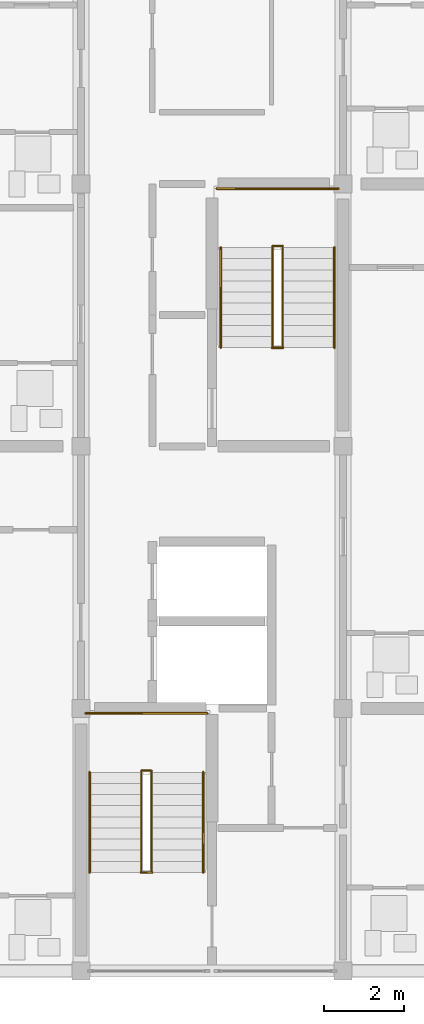
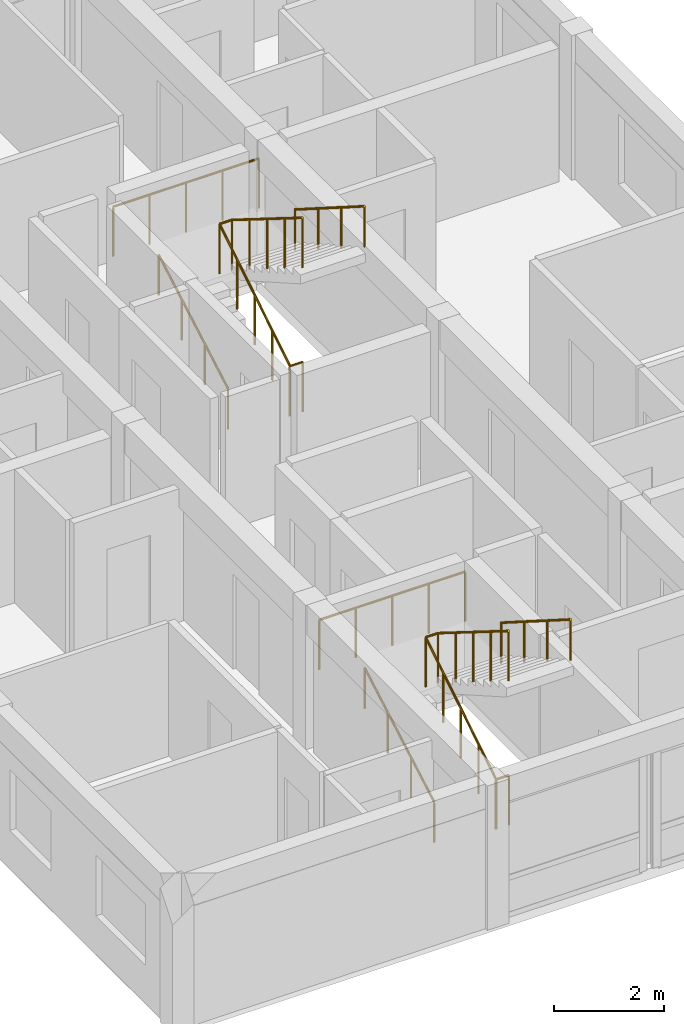
# One storey, part 41 of 45: 10 railings.
"""IFC4 building model written with IfcOpenShell, lengths in metres."""

from ifc_helpers import new_model, si_unit, direction, frame, origin, origin_2d, place, context, subcontext, project, spatial, circle, extrude, material, type_object, element, save


model = new_model("IFC4")

# Units and contexts
model_context = context("Model", 3, precision=1e-05, world=origin(), true_north=direction((0.0, 1.0)))
body_context = subcontext(model_context, "Body", "Model", "MODEL_VIEW")
ifc_project = project(units=[si_unit("LENGTHUNIT", "METRE"), si_unit("AREAUNIT", "SQUARE_METRE"), si_unit("VOLUMEUNIT", "CUBIC_METRE"), si_unit("PLANEANGLEUNIT", "RADIAN"), si_unit("MASSUNIT", "GRAM", prefix="KILO")], contexts=[model_context])

# Site, building, storey
site_placement = place(None, origin())
site = spatial("IfcSite", under=ifc_project, at=site_placement, CompositionType="ELEMENT")
building_placement = place(site_placement, origin())
building = spatial("IfcBuilding", under=site, at=building_placement, Name="Kernevlak Ridge Housing Community", CompositionType="ELEMENT")
storey_placement = place(building_placement, frame((0.0, 0.0, 21.199951171875)))
storey = spatial("IfcBuildingStorey", under=building, at=storey_placement, Name="L06", CompositionType="ELEMENT", Elevation=21.199951171875)

# Railings
ifc_material_1 = material(Name="Steel S355", Category="steel")
railing_type_1 = type_object("IfcRailingType", Name="GR-02", PredefinedType="GUARDRAIL", material=ifc_material_1)
railing_1_placement = place(storey_placement, frame((134.110107421875, 18.080078125, 0.0)))
element("IfcRailing", 1, at=railing_1_placement, inside=storey, type_object=railing_type_1, Name="Stair ST-C1 L06 well slot guard", PredefinedType="GUARDRAIL", context=body_context, shape_type="SweptSolid", body=[
    extrude(circle(Radius=0.02392578125, at=origin_2d()), frame((0.0, 0.0, 1.09619140625), z_axis=(1.0, 0.0, 0.0), x_axis=(0.0, 1.0, 0.0)), (0.0, 0.0, 1.0), 0.27978515625),
    extrude(circle(Radius=0.02099609375, at=origin_2d()), origin(), (0.0, 0.0, 1.0), 1.072021484375),
    extrude(circle(Radius=0.02099609375, at=origin_2d()), frame((0.27978515625, 0.0, 0.0)), (0.0, 0.0, 1.0), 1.072021484375),
])
railing_2_placement = place(storey_placement, frame((134.1201171875, 18.080078125, 0.0)))
element("IfcRailing", 2, at=railing_2_placement, inside=storey, type_object=railing_type_1, Name="Stair ST-C1 L06 inner well guardrail", PredefinedType="GUARDRAIL", context=body_context, shape_type="SweptSolid", body=[
    extrude(circle(Radius=0.02392578125, at=origin_2d()), frame((0.0, 0.0, 1.09619140625), z_axis=(0.0, 0.847966497998, 0.530049826217), x_axis=(-1.0, 0.0, 0.0)), (0.0, 0.0, 1.0), 3.018798828125),
    extrude(circle(Radius=0.02392578125, at=origin_2d()), frame((0.0, 2.559814453125, 2.6962890625), z_axis=(1.0, 0.0, 0.0), x_axis=(0.0, 1.0, 0.0)), (0.0, 0.0, 1.0), 0.259765625),
    extrude(circle(Radius=0.02392578125, at=origin_2d()), frame((0.259765625, 2.559814453125, 2.6962890625), z_axis=(0.0, -0.848002847666, 0.529991670077), x_axis=(1.0, 0.0, 0.0)), (0.0, 0.0, 1.0), 3.0185546875),
    extrude(circle(Radius=0.02099609375, at=origin_2d()), origin(), (0.0, 0.0, 1.0), 1.072021484375),
    extrude(circle(Radius=0.02099609375, at=origin_2d()), frame((0.0, 0.639892578125, 0.39990234375)), (0.0, 0.0, 1.0), 1.072021484375),
    extrude(circle(Radius=0.02099609375, at=origin_2d()), frame((0.0, 1.27978515625, 0.800048828125)), (0.0, 0.0, 1.0), 1.072021484375),
    extrude(circle(Radius=0.02099609375, at=origin_2d()), frame((0.0, 1.919921875, 1.2001953125)), (0.0, 0.0, 1.0), 1.072021484375),
    extrude(circle(Radius=0.02099609375, at=origin_2d()), frame((0.0, 2.559814453125, 1.60009765625)), (0.0, 0.0, 1.0), 1.072021484375),
    extrude(circle(Radius=0.02099609375, at=origin_2d()), frame((0.259765625, 2.559814453125, 1.60009765625)), (0.0, 0.0, 1.0), 1.072021484375),
    extrude(circle(Radius=0.02099609375, at=origin_2d()), frame((0.259765625, 1.919921875, 2.0)), (0.0, 0.0, 1.0), 1.072021484375),
    extrude(circle(Radius=0.02099609375, at=origin_2d()), frame((0.259765625, 1.27978515625, 2.39990234375)), (0.0, 0.0, 1.0), 1.072021484375),
    extrude(circle(Radius=0.02099609375, at=origin_2d()), frame((0.259765625, 0.639892578125, 2.800048828125)), (0.0, 0.0, 1.0), 1.072021484375),
    extrude(circle(Radius=0.02099609375, at=origin_2d()), frame((0.259765625, 0.0, 3.199951171875)), (0.0, 0.0, 1.0), 1.072021484375),
])
railing_3_placement = place(storey_placement, frame((132.719970703125, 22.080078125, 1.60009765625)))
element("IfcRailing", 3, at=railing_3_placement, inside=storey, type_object=railing_type_1, Name="Stair ST-C1 L06 half-landing guard", PredefinedType="GUARDRAIL", context=body_context, shape_type="SweptSolid", body=[
    extrude(circle(Radius=0.02392578125, at=origin_2d()), frame((0.0, 0.0, 1.09619140625), z_axis=(1.0, 0.0, 0.0), x_axis=(0.0, 1.0, 0.0)), (0.0, 0.0, 1.0), 3.06005859375),
    extrude(circle(Radius=0.02099609375, at=origin_2d()), origin(), (0.0, 0.0, 1.0), 1.072021484375),
    extrude(circle(Radius=0.02099609375, at=origin_2d()), frame((0.76513671875, 0.0, 0.0)), (0.0, 0.0, 1.0), 1.072021484375),
    extrude(circle(Radius=0.02099609375, at=origin_2d()), frame((1.530029296875, 0.0, 0.0)), (0.0, 0.0, 1.0), 1.072021484375),
    extrude(circle(Radius=0.02099609375, at=origin_2d()), frame((2.294921875, 0.0, 0.0)), (0.0, 0.0, 1.0), 1.072021484375),
    extrude(circle(Radius=0.02099609375, at=origin_2d()), frame((3.06005859375, 0.0, 0.0)), (0.0, 0.0, 1.0), 1.072021484375),
])
railing_4_placement = place(storey_placement, frame((137.409912109375, 31.280029296875, 0.0)))
element("IfcRailing", 4, at=railing_4_placement, inside=storey, type_object=railing_type_1, Name="Stair ST-C2 L06 well slot guard", PredefinedType="GUARDRAIL", context=body_context, shape_type="SweptSolid", body=[
    extrude(circle(Radius=0.02392578125, at=origin_2d()), frame((0.0, 0.0, 1.09619140625), z_axis=(1.0, 0.0, 0.0), x_axis=(0.0, 1.0, 0.0)), (0.0, 0.0, 1.0), 0.280029296875),
    extrude(circle(Radius=0.02099609375, at=origin_2d()), origin(), (0.0, 0.0, 1.0), 1.072021484375),
    extrude(circle(Radius=0.02099609375, at=origin_2d()), frame((0.280029296875, 0.0, 0.0)), (0.0, 0.0, 1.0), 1.072021484375),
])
railing_5_placement = place(storey_placement, frame((137.419921875, 31.280029296875, 0.0)))
element("IfcRailing", 5, at=railing_5_placement, inside=storey, type_object=railing_type_1, Name="Stair ST-C2 L06 inner well guardrail", PredefinedType="GUARDRAIL", context=body_context, shape_type="SweptSolid", body=[
    extrude(circle(Radius=0.02392578125, at=origin_2d()), frame((0.0, 0.0, 1.09619140625), z_axis=(0.0, 0.847989217509, 0.530013478119), x_axis=(-1.0, 0.0, 0.0)), (0.0, 0.0, 1.0), 3.01904296875),
    extrude(circle(Radius=0.02392578125, at=origin_2d()), frame((0.0, 2.56005859375, 2.6962890625), z_axis=(1.0, 0.0, 0.0), x_axis=(0.0, 1.0, 0.0)), (0.0, 0.0, 1.0), 0.260009765625),
    extrude(circle(Radius=0.02392578125, at=origin_2d()), frame((0.260009765625, 2.56005859375, 2.6962890625), z_axis=(0.0, -0.848025563165, 0.529955322851), x_axis=(1.0, 0.0, 0.0)), (0.0, 0.0, 1.0), 3.018798828125),
    extrude(circle(Radius=0.02099609375, at=origin_2d()), origin(), (0.0, 0.0, 1.0), 1.072021484375),
    extrude(circle(Radius=0.02099609375, at=origin_2d()), frame((0.0, 0.64013671875, 0.39990234375)), (0.0, 0.0, 1.0), 1.072021484375),
    extrude(circle(Radius=0.02099609375, at=origin_2d()), frame((0.0, 1.280029296875, 0.800048828125)), (0.0, 0.0, 1.0), 1.072021484375),
    extrude(circle(Radius=0.02099609375, at=origin_2d()), frame((0.0, 1.919921875, 1.2001953125)), (0.0, 0.0, 1.0), 1.072021484375),
    extrude(circle(Radius=0.02099609375, at=origin_2d()), frame((0.0, 2.56005859375, 1.60009765625)), (0.0, 0.0, 1.0), 1.072021484375),
    extrude(circle(Radius=0.02099609375, at=origin_2d()), frame((0.260009765625, 2.56005859375, 1.60009765625)), (0.0, 0.0, 1.0), 1.072021484375),
    extrude(circle(Radius=0.02099609375, at=origin_2d()), frame((0.260009765625, 1.919921875, 2.0)), (0.0, 0.0, 1.0), 1.072021484375),
    extrude(circle(Radius=0.02099609375, at=origin_2d()), frame((0.260009765625, 1.280029296875, 2.39990234375)), (0.0, 0.0, 1.0), 1.072021484375),
    extrude(circle(Radius=0.02099609375, at=origin_2d()), frame((0.260009765625, 0.64013671875, 2.800048828125)), (0.0, 0.0, 1.0), 1.072021484375),
    extrude(circle(Radius=0.02099609375, at=origin_2d()), frame((0.260009765625, 0.0, 3.199951171875)), (0.0, 0.0, 1.0), 1.072021484375),
])
railing_6_placement = place(storey_placement, frame((136.02001953125, 35.280029296875, 1.60009765625)))
element("IfcRailing", 6, at=railing_6_placement, inside=storey, type_object=railing_type_1, Name="Stair ST-C2 L06 half-landing guard", PredefinedType="GUARDRAIL", context=body_context, shape_type="SweptSolid", body=[
    extrude(circle(Radius=0.02392578125, at=origin_2d()), frame((0.0, 0.0, 1.09619140625), z_axis=(1.0, 0.0, 0.0), x_axis=(0.0, 1.0, 0.0)), (0.0, 0.0, 1.0), 3.06005859375),
    extrude(circle(Radius=0.02099609375, at=origin_2d()), origin(), (0.0, 0.0, 1.0), 1.072021484375),
    extrude(circle(Radius=0.02099609375, at=origin_2d()), frame((0.76513671875, 0.0, 0.0)), (0.0, 0.0, 1.0), 1.072021484375),
    extrude(circle(Radius=0.02099609375, at=origin_2d()), frame((1.530029296875, 0.0, 0.0)), (0.0, 0.0, 1.0), 1.072021484375),
    extrude(circle(Radius=0.02099609375, at=origin_2d()), frame((2.294921875, 0.0, 0.0)), (0.0, 0.0, 1.0), 1.072021484375),
    extrude(circle(Radius=0.02099609375, at=origin_2d()), frame((3.06005859375, 0.0, 0.0)), (0.0, 0.0, 1.0), 1.072021484375),
])
ifc_material_2 = material(Name="Stainless steel EN 1.4401", Category="steel")
railing_type_2 = type_object("IfcRailingType", Name="HR-01", PredefinedType="HANDRAIL", material=ifc_material_2)
railing_7_placement = place(storey_placement, frame((132.820068359375, 18.080078125, 0.16015625)))
element("IfcRailing", 7, at=railing_7_placement, inside=storey, type_object=railing_type_2, Name="Stair ST-C1 L06 flight 1 handrail", PredefinedType="HANDRAIL", context=body_context, shape_type="SweptSolid", body=[
    extrude(circle(Radius=0.02392578125, at=origin_2d()), frame((0.0, 0.0, 0.89599609375), z_axis=(0.0, 0.868253494771, 0.496120820787), x_axis=(-1.0, 0.0, 0.0)), (0.0, 0.0, 1.0), 2.90234375),
    extrude(circle(Radius=0.02099609375, at=origin_2d()), origin(), (0.0, 0.0, 1.0), 0.871826171875),
    extrude(circle(Radius=0.02099609375, at=origin_2d()), frame((0.0, 0.840087890625, 0.47998046875)), (0.0, 0.0, 1.0), 0.871826171875),
    extrude(circle(Radius=0.02099609375, at=origin_2d()), frame((0.0, 1.679931640625, 0.9599609375)), (0.0, 0.0, 1.0), 0.871826171875),
    extrude(circle(Radius=0.02099609375, at=origin_2d()), frame((0.0, 2.52001953125, 1.43994140625)), (0.0, 0.0, 1.0), 0.871826171875),
])
railing_8_placement = place(storey_placement, frame((135.679931640625, 20.60009765625, 1.60009765625)))
element("IfcRailing", 8, at=railing_8_placement, inside=storey, type_object=railing_type_2, Name="Stair ST-C1 L06 flight 2 handrail", PredefinedType="HANDRAIL", context=body_context, shape_type="SweptSolid", body=[
    extrude(circle(Radius=0.02392578125, at=origin_2d()), frame((0.0, 0.0, 0.89599609375), z_axis=(0.0, -0.84423690053, 0.535970200462), x_axis=(1.0, 0.0, 0.0)), (0.0, 0.0, 1.0), 2.98486328125),
    extrude(circle(Radius=0.02099609375, at=origin_2d()), origin(), (0.0, 0.0, 1.0), 0.871826171875),
    extrude(circle(Radius=0.02099609375, at=origin_2d()), frame((0.0, -0.840087890625, 0.533203125)), (0.0, 0.0, 1.0), 0.871826171875),
    extrude(circle(Radius=0.02099609375, at=origin_2d()), frame((0.0, -1.679931640625, 1.066650390625)), (0.0, 0.0, 1.0), 0.871826171875),
    extrude(circle(Radius=0.02099609375, at=origin_2d()), frame((0.0, -2.52001953125, 1.599853515625)), (0.0, 0.0, 1.0), 0.871826171875),
])
railing_9_placement = place(storey_placement, frame((136.1201171875, 31.280029296875, 0.16015625)))
element("IfcRailing", 9, at=railing_9_placement, inside=storey, type_object=railing_type_2, Name="Stair ST-C2 L06 flight 1 handrail", PredefinedType="HANDRAIL", context=body_context, shape_type="SweptSolid", body=[
    extrude(circle(Radius=0.02392578125, at=origin_2d()), frame((0.0, 0.0, 0.89599609375), z_axis=(0.0, 0.868253494771, 0.496120820787), x_axis=(-1.0, 0.0, 0.0)), (0.0, 0.0, 1.0), 2.90234375),
    extrude(circle(Radius=0.02099609375, at=origin_2d()), origin(), (0.0, 0.0, 1.0), 0.871826171875),
    extrude(circle(Radius=0.02099609375, at=origin_2d()), frame((0.0, 0.840087890625, 0.47998046875)), (0.0, 0.0, 1.0), 0.871826171875),
    extrude(circle(Radius=0.02099609375, at=origin_2d()), frame((0.0, 1.679931640625, 0.9599609375)), (0.0, 0.0, 1.0), 0.871826171875),
    extrude(circle(Radius=0.02099609375, at=origin_2d()), frame((0.0, 2.52001953125, 1.43994140625)), (0.0, 0.0, 1.0), 0.871826171875),
])
railing_10_placement = place(storey_placement, frame((138.97998046875, 33.800048828125, 1.60009765625)))
element("IfcRailing", 10, at=railing_10_placement, inside=storey, type_object=railing_type_2, Name="Stair ST-C2 L06 flight 2 handrail", PredefinedType="HANDRAIL", context=body_context, shape_type="SweptSolid", body=[
    extrude(circle(Radius=0.02392578125, at=origin_2d()), frame((0.0, 0.0, 0.89599609375), z_axis=(0.0, -0.84423690053, 0.535970200462), x_axis=(1.0, 0.0, 0.0)), (0.0, 0.0, 1.0), 2.98486328125),
    extrude(circle(Radius=0.02099609375, at=origin_2d()), origin(), (0.0, 0.0, 1.0), 0.871826171875),
    extrude(circle(Radius=0.02099609375, at=origin_2d()), frame((0.0, -0.840087890625, 0.533203125)), (0.0, 0.0, 1.0), 0.871826171875),
    extrude(circle(Radius=0.02099609375, at=origin_2d()), frame((0.0, -1.679931640625, 1.066650390625)), (0.0, 0.0, 1.0), 0.871826171875),
    extrude(circle(Radius=0.02099609375, at=origin_2d()), frame((0.0, -2.52001953125, 1.599853515625)), (0.0, 0.0, 1.0), 0.871826171875),
])

save(model, "model.ifc")
